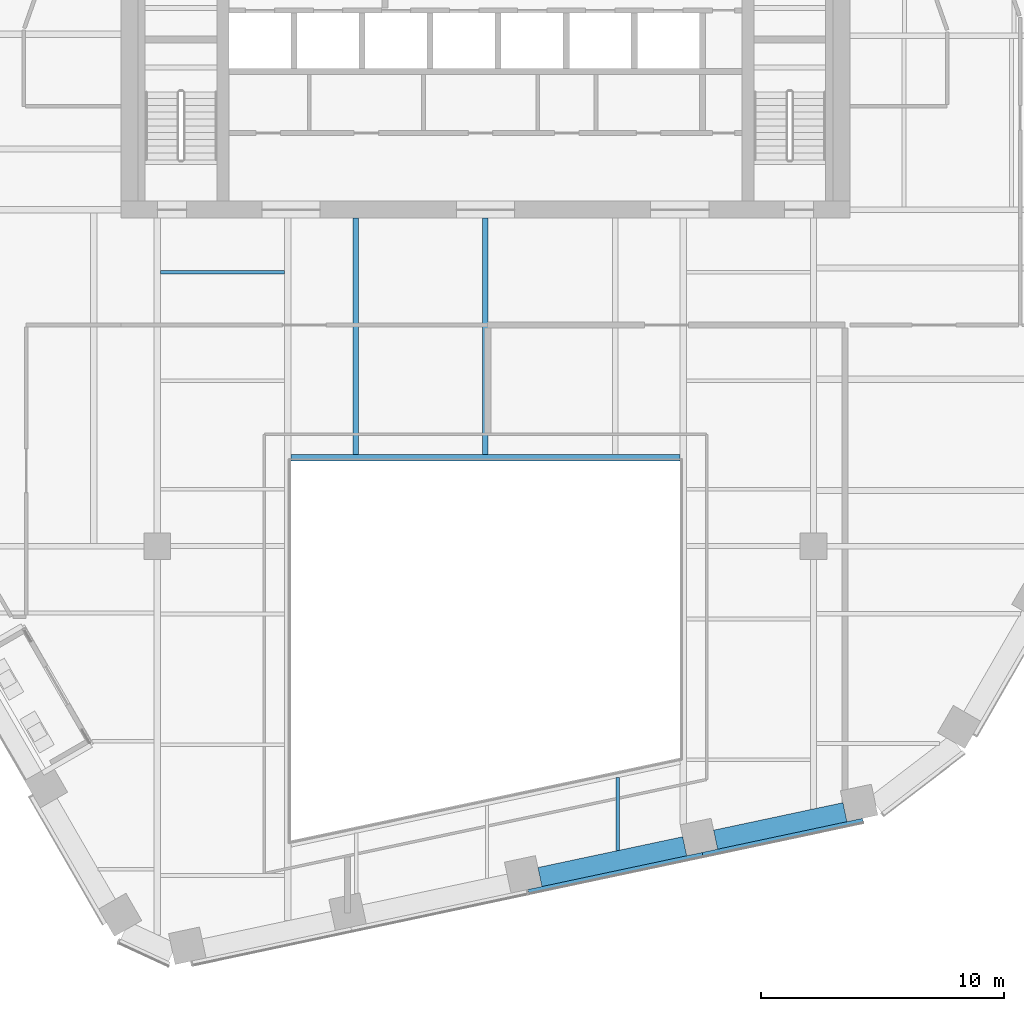
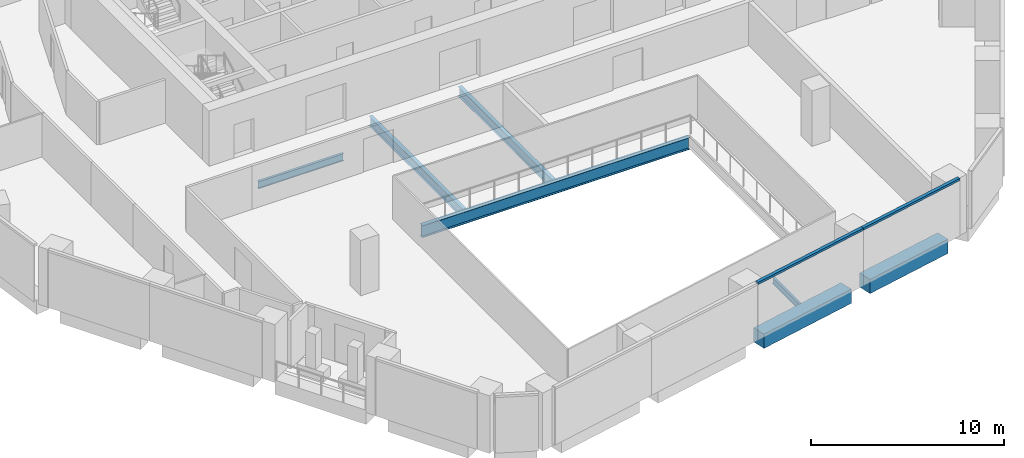
# One storey, part 5 of 26: 7 beams, 2 members, 1 element without a shape of its own.
"""IFC4 building model written with IfcOpenShell, lengths in metres."""

from ifc_helpers import new_model, si_unit, direction, frame, origin, origin_2d, place, context, subcontext, project, spatial, rectangle, i_section, extrude, material, layer, layer_set, material_profile, profile_set, type_object, element, aggregate, save


model = new_model("IFC4")

# Units and contexts
model_context = context("Model", 3, precision=1e-05, world=origin(), true_north=direction((0.0, 1.0)))
body_context = subcontext(model_context, "Body", "Model", "MODEL_VIEW")
ifc_project = project(units=[si_unit("LENGTHUNIT", "METRE"), si_unit("AREAUNIT", "SQUARE_METRE"), si_unit("VOLUMEUNIT", "CUBIC_METRE"), si_unit("PLANEANGLEUNIT", "RADIAN"), si_unit("MASSUNIT", "GRAM", prefix="KILO")], contexts=[model_context])

# Site, building, storey
site_placement = place(None, origin())
site = spatial("IfcSite", under=ifc_project, at=site_placement, CompositionType="ELEMENT")
building_placement = place(site_placement, origin())
building = spatial("IfcBuilding", under=site, at=building_placement, Name="Isthmus Gate Tower", CompositionType="ELEMENT")
storey_placement = place(building_placement, frame((0.0, 0.0, 189.050048828125)))
storey = spatial("IfcBuildingStorey", under=building, at=storey_placement, Name="L47", CompositionType="ELEMENT", Elevation=189.050048828125)

# Curtain wall, members
ifc_material_1 = material(Name="Aluminium, pale champagne anodised", Category="aluminium")
ifc_layer = layer(ifc_material_1, 0.199951171875)
ifc_layer_set = layer_set([ifc_layer], Name="CW-1 UNITISED CURTAIN WALL 200 DEEP")
curtain_wall_type = type_object("IfcCurtainWallType", Name="CW-1 UNITISED CURTAIN WALL 200 DEEP", PredefinedType="NOTDEFINED", material=ifc_layer_set)
curtain_wall_placement = place(storey_placement, origin())
curtain_wall = element("IfcCurtainWall", 1, at=curtain_wall_placement, inside=storey, type_object=curtain_wall_type, Name="CW-1 S L47", PredefinedType="NOTDEFINED")
ifc_material_2 = material(Name="Aluminium, pale champagne anodised", Category="aluminium")
ifc_material_profile_1 = material_profile(ifc_material_2, rectangle(XDim=0.199951171875, YDim=0.139892578125, at=origin_2d()), Name="200x140")
ifc_profile_set_1 = profile_set([ifc_material_profile_1], Name="Aluminium, pale champagne anodised")
member_type = type_object("IfcMemberType", Name="CW-1 TRANSOM 200 X 140", PredefinedType="USERDEFINED", material=ifc_profile_set_1)
member_1_placement = place(storey_placement, frame((1.76953125, -27.72607421875, 3.579833984375), z_axis=(0.978146152746, 0.207918502948, 0.0), x_axis=(-0.207918502948, 0.978146152746, 0.0)))
member_1 = element("IfcMember", 2, at=member_1_placement, type_object=member_type, Name="CW-1 transom", ObjectType="TRANSOM", PredefinedType="USERDEFINED", context=body_context, shape_type="SweptSolid", body=[
    extrude(rectangle(XDim=0.199951171875, YDim=0.139892578125, at=origin_2d()), origin(), (0.0, 0.0, 1.0), 7.33056640625),
])
member_2_placement = place(storey_placement, frame((8.93994140625, -26.201904296875, 3.579833984375), z_axis=(0.978151394347, 0.207893842469, 0.0), x_axis=(-0.207893842469, 0.978151394347, 0.0)))
member_2 = element("IfcMember", 3, at=member_2_placement, type_object=member_type, Name="CW-1 transom", ObjectType="TRANSOM", PredefinedType="USERDEFINED", context=body_context, shape_type="SweptSolid", body=[
    extrude(rectangle(XDim=0.199951171875, YDim=0.139892578125, at=origin_2d()), origin(), (0.0, 0.0, 1.0), 6.74072265625),
])
aggregate(curtain_wall, [member_1, member_2])

# Beams
ifc_material_3 = material(Name="Concrete f'c 60 MPa", Category="concrete")
ifc_material_profile_2 = material_profile(ifc_material_3, rectangle(XDim=0.800048828125, YDim=0.89990234375, at=origin_2d()), Name="RC 800X900")
ifc_profile_set_2 = profile_set([ifc_material_profile_2], Name="Concrete f'c 60 MPa")
beam_type_1 = type_object("IfcBeamType", Name="RC SPANDREL 800 X 900", PredefinedType="SPANDREL", material=ifc_profile_set_2)
beam_1_placement = place(storey_placement, frame((14.793701171875, -24.446533203125, -0.449951171875), z_axis=(-0.978150410773, -0.207898470186, 0.0), x_axis=(0.207898470186, -0.978150410773, 0.0)))
element("IfcBeam", 4, at=beam_1_placement, inside=storey, type_object=beam_type_1, Name="str-spandrel-L47-11", PredefinedType="SPANDREL", context=body_context, shape_type="SweptSolid", body=[
    extrude(rectangle(XDim=0.800048828125, YDim=0.89990234375, at=origin_2d()), origin(), (0.0, 0.0, 1.0), 5.440673828125),
])
beam_2_placement = place(storey_placement, frame((8.2001953125, -25.84814453125, -0.449951171875), z_axis=(-0.978146012851, -0.207919161079, 0.0), x_axis=(0.207919161079, -0.978146012851, 0.0)))
element("IfcBeam", 5, at=beam_2_placement, inside=storey, type_object=beam_type_1, Name="str-spandrel-L47-12", PredefinedType="SPANDREL", context=body_context, shape_type="SweptSolid", body=[
    extrude(rectangle(XDim=0.800048828125, YDim=0.89990234375, at=origin_2d()), origin(), (0.0, 0.0, 1.0), 6.090576171875),
])
ifc_material_4 = material(Name="Structural steel ASTM A992 Gr 50", Category="steel")
ifc_material_profile_3 = material_profile(ifc_material_4, i_section(OverallWidth=0.1396484375, OverallDepth=0.4033203125, WebThickness=0.00634765625, FlangeThickness=0.010986328125, at=origin_2d()), Name="W16X31")
ifc_profile_set_3 = profile_set([ifc_material_profile_3], Name="Structural steel ASTM A992 Gr 50")
beam_type_2 = type_object("IfcBeamType", Name="STEEL FLOOR BEAM W16X31", PredefinedType="JOIST", material=ifc_profile_set_3)
beam_3_placement = place(storey_placement, frame((5.443115234375, -26.025146484375, -0.3515625), z_axis=(0.0, 1.0, 0.0), x_axis=(-1.0, 0.0, 0.0)))
element("IfcBeam", 6, at=beam_3_placement, inside=storey, type_object=beam_type_2, Name="str-beam-L47-10-02", PredefinedType="JOIST", context=body_context, shape_type="SweptSolid", body=[
    extrude(i_section(OverallWidth=0.1396484375, OverallDepth=0.4033203125, WebThickness=0.00634765625, FlangeThickness=0.010986328125, at=origin_2d()), origin(), (0.0, 0.0, 1.0), 2.998779296875),
])
ifc_material_5 = material(Name="Structural steel ASTM A992 Gr 50", Category="steel")
ifc_material_profile_4 = material_profile(ifc_material_5, i_section(OverallWidth=0.15234375, OverallDepth=0.45068359375, WebThickness=0.0078125, FlangeThickness=0.010986328125, at=origin_2d()), Name="W18X35")
ifc_profile_set_4 = profile_set([ifc_material_profile_4], Name="Structural steel ASTM A992 Gr 50")
beam_type_3 = type_object("IfcBeamType", Name="STEEL FLOOR BEAM W18X35", PredefinedType="JOIST", material=ifc_profile_set_4)
beam_4_placement = place(storey_placement, frame((-13.3681640625, -2.232421875, -0.37548828125), z_axis=(1.0, 0.0, 0.0), x_axis=(0.0, 1.0, 0.0)))
element("IfcBeam", 7, at=beam_4_placement, inside=storey, type_object=beam_type_3, Name="str-beam-L47-06-02", PredefinedType="JOIST", context=body_context, shape_type="SweptSolid", body=[
    extrude(i_section(OverallWidth=0.15234375, OverallDepth=0.45068359375, WebThickness=0.0078125, FlangeThickness=0.010986328125, at=origin_2d()), origin(), (0.0, 0.0, 1.0), 5.1015625),
])
ifc_material_6 = material(Name="Structural steel ASTM A992 Gr 50", Category="steel")
ifc_material_profile_5 = material_profile(ifc_material_6, i_section(OverallWidth=0.228515625, OverallDepth=0.603271484375, WebThickness=0.010986328125, FlangeThickness=0.014404296875, at=origin_2d()), Name="W24X68")
ifc_profile_set_5 = profile_set([ifc_material_profile_5], Name="Structural steel ASTM A992 Gr 50")
beam_type_4 = type_object("IfcBeamType", Name="STEEL FLOOR BEAM W24X68", PredefinedType="JOIST", material=ifc_profile_set_5)
for number, where, z_axis, x_axis, name in (
    (8, (-5.333251953125, -9.7333984375, -0.45166015625), (0.0, 1.0, 0.0), (-1.0, 0.0, 0.0), "str-beam-L47-09-00"),
    (9, (0.0, -9.7333984375, -0.45166015625), (0.0, 1.0, 0.0), (-1.0, 0.0, 0.0), "str-beam-L47-09-01"),
):
    element("IfcBeam", number, at=place(storey_placement, frame(where, z_axis=z_axis, x_axis=x_axis)), inside=storey, type_object=beam_type_4, Name=name, PredefinedType="JOIST", context=body_context, shape_type="SweptSolid", body=[
        extrude(i_section(OverallWidth=0.228515625, OverallDepth=0.603271484375, WebThickness=0.010986328125, FlangeThickness=0.014404296875, at=origin_2d()), origin(), (0.0, 0.0, 1.0), 9.7333984375),
    ])
ifc_material_7 = material(Name="Structural steel ASTM A992 Gr 50", Category="steel")
ifc_material_profile_6 = material_profile(ifc_material_7, i_section(OverallWidth=0.2666015625, OverallDepth=0.7587890625, WebThickness=0.014404296875, FlangeThickness=0.01904296875, at=origin_2d()), Name="W30X108")
ifc_profile_set_6 = profile_set([ifc_material_profile_6], Name="Structural steel ASTM A992 Gr 50")
beam_type_5 = type_object("IfcBeamType", Name="STEEL TRIMMER W30X108", PredefinedType="BEAM", material=ifc_profile_set_6)
beam_5_placement = place(storey_placement, frame((8.0, -9.86669921875, -0.529541015625), z_axis=(-1.0, 0.0, 0.0), x_axis=(0.0, -1.0, 0.0)))
element("IfcBeam", 10, at=beam_5_placement, inside=storey, type_object=beam_type_5, Name="str-trimmer-L47-04", PredefinedType="BEAM", context=body_context, shape_type="SweptSolid", body=[
    extrude(i_section(OverallWidth=0.2666015625, OverallDepth=0.7587890625, WebThickness=0.014404296875, FlangeThickness=0.01904296875, at=origin_2d()), origin(), (0.0, 0.0, 1.0), 16.0),
])

save(model, "model.ifc")
